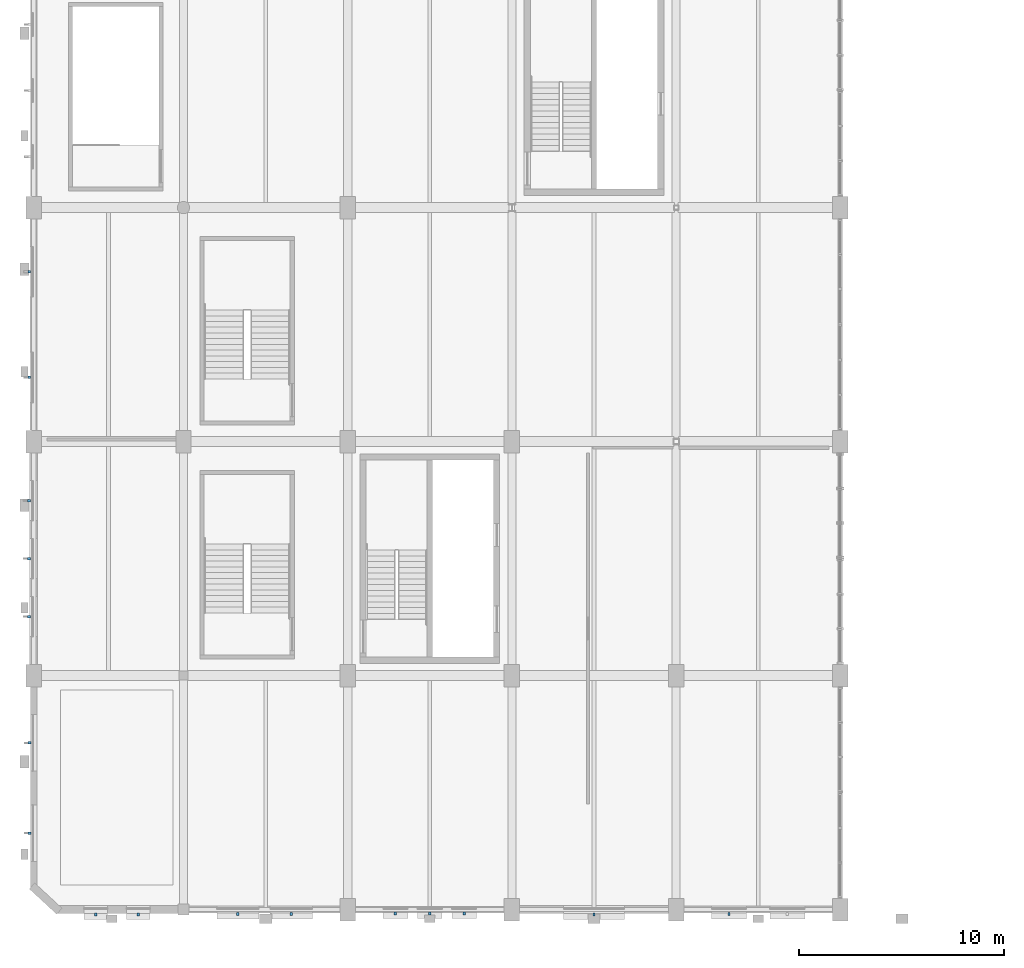
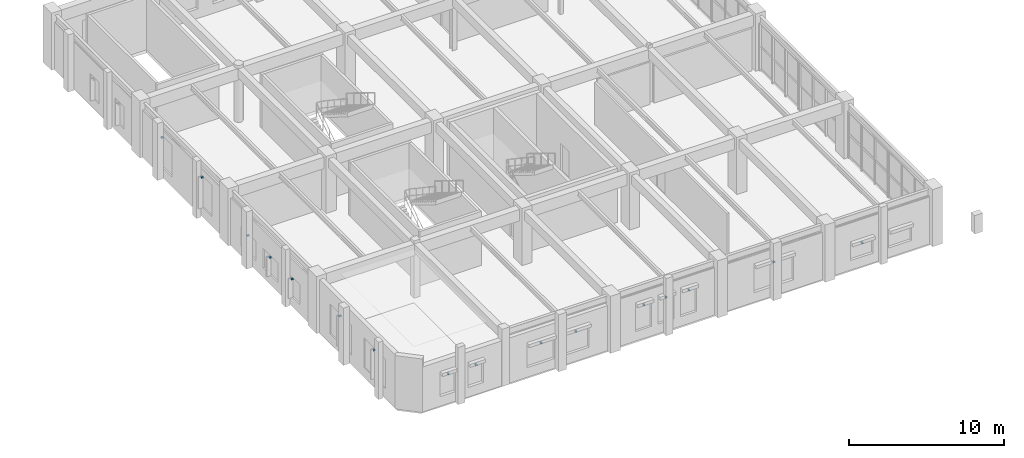
# One storey, part 71 of 80: 16 discrete accessories.
"""IFC4 building model written with IfcOpenShell, lengths in metres."""

import ifcopenshell
import ifcopenshell.guid

model = None  # the IFC model being written
_history = None  # IfcOwnerHistory: only IFC2X3 demands one
_inside = {}  # id of a spatial element -> (the spatial element, [elements in it])
_under = {}  # id of a project, library or spatial element -> (it, [spatial elements below it])
_declared = {}  # id of a project -> (the project, [libraries it declares])
_typed = {}  # id of a type object -> (the type object, [elements of that type])
_made_of = {}  # id of a material, layer set ... -> (it, [elements and type objects made of it])


def new_model(schema):
    """Start an empty IFC model of exactly this schema.

    Asked for "IFC4X3", IfcOpenShell would pick the latest addendum, in which some entities
    have other attributes; the version numbers below select the first issue.
    IFC2X3 requires an IfcOwnerHistory on every rooted entity: one is made here for all.
    """
    global model, _history
    if schema == "IFC4X3":
        model = ifcopenshell.file(schema_version=(4, 3, 0, 0))
    else:
        model = ifcopenshell.file(schema=schema)
    _inside.clear()
    _under.clear()
    _declared.clear()
    _typed.clear()
    _made_of.clear()
    _history = None
    if model.schema == "IFC2X3":
        org = make("IfcOrganization", Name="unknown")
        user = make(
            "IfcPersonAndOrganization",
            ThePerson=make("IfcPerson", FamilyName="unknown"),
            TheOrganization=org,
        )
        app = make(
            "IfcApplication",
            ApplicationDeveloper=org,
            Version="unknown",
            ApplicationFullName="unknown",
            ApplicationIdentifier="unknown",
        )
        _history = make(
            "IfcOwnerHistory",
            OwningUser=user,
            OwningApplication=app,
            ChangeAction="ADDED",
            CreationDate=0,
        )
    return model


def make(cls, **values):
    """One entity of the class cls with the attributes given. An attribute that is None is left unset."""
    return model.create_entity(
        cls, **{name: value for name, value in values.items() if value is not None}
    )


def rooted(cls, **values):
    """An entity with a GlobalId (a new one), such as an element, a storey or a relation."""
    return make(cls, GlobalId=ifcopenshell.guid.new(), OwnerHistory=_history, **values)


def si_unit(unit_type, name, prefix=None):
    """IfcSIUnit, for example si_unit("LENGTHUNIT", "METRE", prefix="MILLI")."""
    return make("IfcSIUnit", UnitType=unit_type, Prefix=prefix, Name=name)


def assignment(units):
    """IfcUnitAssignment: the units of a project."""
    return None if units is None else make("IfcUnitAssignment", Units=units)


def point(xyz):
    """IfcCartesianPoint."""
    return None if xyz is None else make("IfcCartesianPoint", Coordinates=xyz)


def direction(xyz):
    """IfcDirection."""
    return None if xyz is None else make("IfcDirection", DirectionRatios=xyz)


def frame(location, z_axis=None, x_axis=None):
    """IfcAxis2Placement3D, a coordinate frame: its origin and axes. An axis left out is left unset."""
    return make(
        "IfcAxis2Placement3D",
        Location=point(location),
        Axis=direction(z_axis),
        RefDirection=direction(x_axis),
    )


def frame_2d(location, x_axis=None):
    """IfcAxis2Placement2D, a coordinate frame in the plane: its origin and x axis."""
    return make(
        "IfcAxis2Placement2D", Location=point(location), RefDirection=direction(x_axis)
    )


def origin():
    """The frame at (0, 0, 0) with its axes left unset."""
    return frame((0.0, 0.0, 0.0))


def origin_2d():
    """The frame at (0, 0) in the plane with its x axis left unset."""
    return frame_2d((0.0, 0.0))


def place(relative_to, where):
    """IfcLocalPlacement: puts the frame where relative to a parent placement (None: the world)."""
    return make(
        "IfcLocalPlacement", PlacementRelTo=relative_to, RelativePlacement=where
    )


def context(
    kind, dimensions, precision=None, world=None, true_north=None, identifier=None
):
    """IfcGeometricRepresentationContext, for example the 3D "Model" context."""
    return make(
        "IfcGeometricRepresentationContext",
        ContextIdentifier=identifier,
        ContextType=kind,
        CoordinateSpaceDimension=dimensions,
        Precision=precision,
        WorldCoordinateSystem=world,
        TrueNorth=true_north,
    )


def subcontext(parent, identifier, kind, view, scale=None):
    """IfcGeometricRepresentationSubContext, for example "Body" below "Model"."""
    return make(
        "IfcGeometricRepresentationSubContext",
        ContextIdentifier=identifier,
        ContextType=kind,
        ParentContext=parent,
        TargetScale=scale,
        TargetView=view,
    )


def project(units=None, contexts=None):
    """IfcProject with its units and contexts."""
    return rooted(
        "IfcProject",
        Name="project",
        RepresentationContexts=contexts,
        UnitsInContext=assignment(units),
    )


def spatial(cls, under=None, at=None, **own):
    """A site, building, storey or space (cls), placed at a placement, below another one or the project."""
    s = rooted(cls, ObjectPlacement=at, **own)
    if under is not None:
        _under.setdefault(under.id(), (under, []))[1].append(s)
    return s


def profile(cls, at=None, kind="AREA", **sizes):
    """A parametric profile (cls). Its sizes go by their IFC names, for example OverallWidth=200.0."""
    return make(cls, ProfileType=kind, Position=at, **sizes)


def rectangle(**sizes):
    """IfcRectangleProfileDef."""
    return profile("IfcRectangleProfileDef", **sizes)


def extrude(swept, where, along, depth):
    """IfcExtrudedAreaSolid: the profile swept, set in the frame where, extruded along a direction by depth."""
    return make(
        "IfcExtrudedAreaSolid",
        SweptArea=swept,
        Position=where,
        ExtrudedDirection=direction(along),
        Depth=depth,
    )


def shape(context_of_items, identifier, shape_type, items):
    """IfcShapeRepresentation: the items that make up one representation, for example the "Body"."""
    return make(
        "IfcShapeRepresentation",
        ContextOfItems=context_of_items,
        RepresentationIdentifier=identifier,
        RepresentationType=shape_type,
        Items=items,
    )


def material(Name=None, Category=None):
    """IfcMaterial."""
    return make("IfcMaterial", Name=Name, Category=Category)


def made_of(thing, what):
    """Note that an element or type object is made of a material, layer set ...; save() writes the relation."""
    if what is not None:
        _made_of.setdefault(what.id(), (what, []))[1].append(thing)
    return thing


def type_object(cls, material=None, **own):
    """A type object (cls), such as IfcWallType, which elements share."""
    return made_of(rooted(cls, **own), material)


def element(
    cls,
    number,
    at=None,
    inside=None,
    cuts=None,
    type_object=None,
    material=None,
    context=None,
    identifier="Body",
    shape_type=None,
    held_by="IfcProductDefinitionShape",
    body=None,
    shapes=None,
    **own,
):
    """One element of the class cls, such as IfcWall. Its Tag is "e" and its number.

    at: its placement. inside: the storey or other place that contains it. cuts: it is an
    opening in that element (IfcRelVoidsElement). A single representation is given by context,
    identifier, shape_type and body (its items); several are given by shapes. held_by: the class
    of the entity that holds the representations. save() writes the other relations.
    """
    e = rooted(cls, Tag="e%d" % number, ObjectPlacement=at, **own)
    if body is not None:
        shapes = [shape(context, identifier, shape_type, body)]
    if shapes is not None:
        e.Representation = make(held_by, Representations=shapes)
    if inside is not None:
        _inside.setdefault(inside.id(), (inside, []))[1].append(e)
    if cuts is not None:
        rooted(
            "IfcRelVoidsElement", RelatingBuildingElement=cuts, RelatedOpeningElement=e
        )
    if type_object is not None:
        _typed.setdefault(type_object.id(), (type_object, []))[1].append(e)
    return made_of(e, material)


def aggregate(whole, parts):
    """IfcRelAggregates: a whole, such as a stair, and the parts it consists of."""
    return rooted("IfcRelAggregates", RelatingObject=whole, RelatedObjects=parts)


def save(model, path):
    """Write the relations noted so far, then the file.

    IfcRelAggregates (storeys below a building ...), IfcRelContainedInSpatialStructure (elements
    in a storey), IfcRelDefinesByType, IfcRelAssociatesMaterial and IfcRelDeclares: one each for
    every whole, place, type object, material and project.
    """
    for whole, parts in _under.values():
        aggregate(whole, parts)
    for where, things in _inside.values():
        rooted(
            "IfcRelContainedInSpatialStructure",
            RelatedElements=things,
            RelatingStructure=where,
        )
    for kind, things in _typed.values():
        rooted("IfcRelDefinesByType", RelatedObjects=things, RelatingType=kind)
    for what, things in _made_of.values():
        rooted("IfcRelAssociatesMaterial", RelatedObjects=things, RelatingMaterial=what)
    for by, libraries in _declared.values():
        rooted("IfcRelDeclares", RelatingContext=by, RelatedDefinitions=libraries)
    model.write(path)


model = new_model("IFC4")

# Units and contexts
model_context = context("Model", 3, precision=1e-05, world=origin(), true_north=direction((0.0, 1.0)))
body_context = subcontext(model_context, "Body", "Model", "MODEL_VIEW")
ifc_project = project(units=[si_unit("LENGTHUNIT", "METRE"), si_unit("AREAUNIT", "SQUARE_METRE"), si_unit("VOLUMEUNIT", "CUBIC_METRE"), si_unit("PLANEANGLEUNIT", "RADIAN"), si_unit("MASSUNIT", "GRAM", prefix="KILO"), si_unit("POWERUNIT", "WATT"), si_unit("THERMODYNAMICTEMPERATUREUNIT", "KELVIN")], contexts=[model_context])

# Site, building, storey
site_placement = place(None, origin())
site = spatial("IfcSite", under=ifc_project, at=site_placement, CompositionType="ELEMENT")
building_placement = place(site_placement, origin())
building = spatial("IfcBuilding", under=site, at=building_placement, Name="Kelmbourne Parkland Aquatics Centre", CompositionType="ELEMENT")
storey_placement = place(building_placement, frame((0.0, 0.0, 10.199951171875)))
storey = spatial("IfcBuildingStorey", under=building, at=storey_placement, Name="L02", CompositionType="ELEMENT", Elevation=10.199951171875)

# Discrete accessories
ifc_material = material(Name="Hot-dip galvanised structural steel AS/NZS 4680", Category="steel")
discrete_accessory_type = type_object("IfcDiscreteAccessoryType", Name="ACC-BRK-1", PredefinedType="BRACKET", material=ifc_material)
for number, where, z_axis, x_axis, name in (
    (1, (0.5048828125, 4.52490234375, 2.93994140625), (0.0, 0.0, 1.0), (0.0, 1.0, 0.0), "Galvanised sunshade fixing bracket 128"),
    (2, (0.5048828125, 8.923095703125, 2.93994140625), (0.0, 0.0, 1.0), (0.0, 1.0, 0.0), "Galvanised sunshade fixing bracket 129"),
    (3, (0.465087890625, 15.076904296875, 2.139892578125), (0.0, 0.0, 1.0), (0.0, 1.0, 0.0), "Galvanised sunshade fixing bracket 130"),
    (4, (0.465087890625, 17.89990234375, 2.139892578125), (0.0, 0.0, 1.0), (0.0, 1.0, 0.0), "Galvanised sunshade fixing bracket 131"),
    (5, (0.465087890625, 20.722900390625, 2.139892578125), (0.0, 0.0, 1.0), (0.0, 1.0, 0.0), "Galvanised sunshade fixing bracket 132"),
    (6, (0.485107421875, 26.72705078125, 3.090087890625), (0.0, 0.0, 1.0), (0.0, 1.0, 0.0), "Galvanised sunshade fixing bracket 133"),
    (7, (0.485107421875, 31.873046875, 3.090087890625), (0.0, 0.0, 1.0), (0.0, 1.0, 0.0), "Galvanised sunshade fixing bracket 134"),
    (8, (3.72509765625, 0.56494140625, 2.340087890625), (0.0, 0.0, 1.0), (1.0, 0.0, 0.0), "Galvanised sunshade fixing bracket 138"),
    (9, (5.798095703125, 0.56494140625, 2.340087890625), (0.0, 0.0, 1.0), (1.0, 0.0, 0.0), "Galvanised sunshade fixing bracket 139"),
    (10, (10.652099609375, 0.5849609375, 2.340087890625), (0.0, 0.0, 1.0), (1.0, 0.0, 0.0), "Galvanised sunshade fixing bracket 140"),
    (11, (13.248046875, 0.5849609375, 2.340087890625), (0.0, 0.0, 1.0), (1.0, 0.0, 0.0), "Galvanised sunshade fixing bracket 141"),
    (12, (18.326904296875, 0.60498046875, 2.639892578125), (0.0, 0.0, 1.0), (1.0, 0.0, 0.0), "Galvanised sunshade fixing bracket 142"),
    (13, (20.0, 0.60498046875, 2.639892578125), (0.0, 0.0, 1.0), (1.0, 0.0, 0.0), "Galvanised sunshade fixing bracket 143"),
    (14, (21.673095703125, 0.60498046875, 2.639892578125), (0.0, 0.0, 1.0), (1.0, 0.0, 0.0), "Galvanised sunshade fixing bracket 144"),
    (15, (28.0, 0.56494140625, 2.639892578125), (0.0, 0.0, 1.0), (1.0, 0.0, 0.0), "Galvanised sunshade fixing bracket 145"),
    (16, (34.576904296875, 0.5849609375, 1.840087890625), (0.0, 0.0, 1.0), (1.0, 0.0, 0.0), "Galvanised sunshade fixing bracket 146"),
):
    element("IfcDiscreteAccessory", number, at=place(storey_placement, frame(where, z_axis=z_axis, x_axis=x_axis)), inside=storey, type_object=discrete_accessory_type, Name=name, PredefinedType="BRACKET", context=body_context, shape_type="SweptSolid", body=[
        extrude(rectangle(XDim=0.1201171875, YDim=0.139892578125, at=origin_2d()), origin(), (0.0, 0.0, 1.0), 0.1201171875),
    ])

save(model, "model.ifc")
